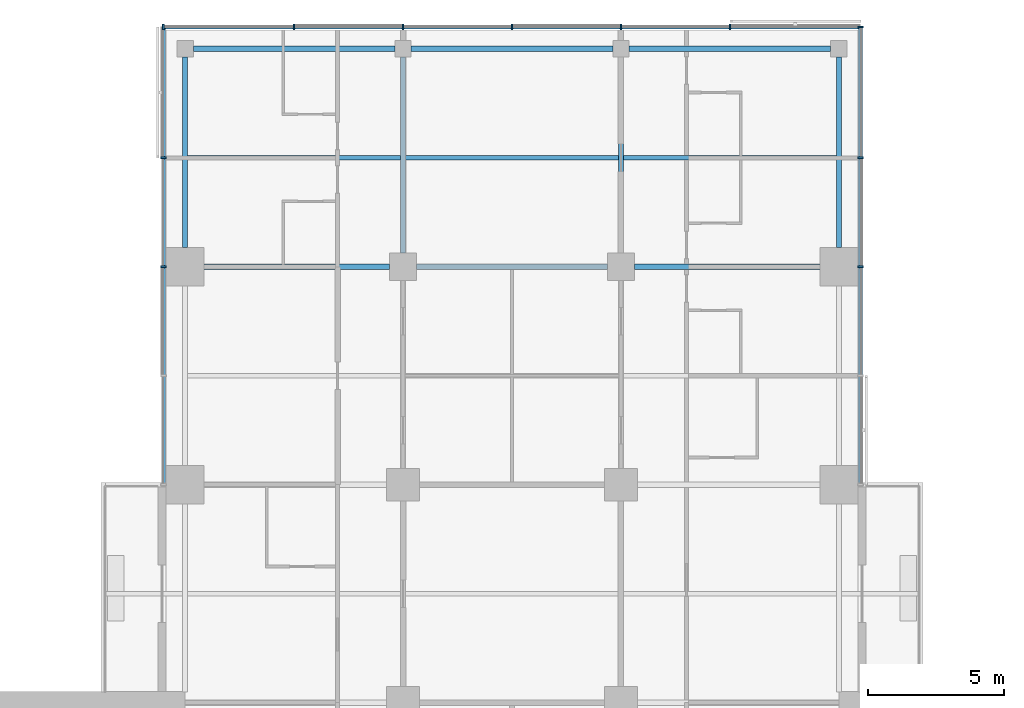
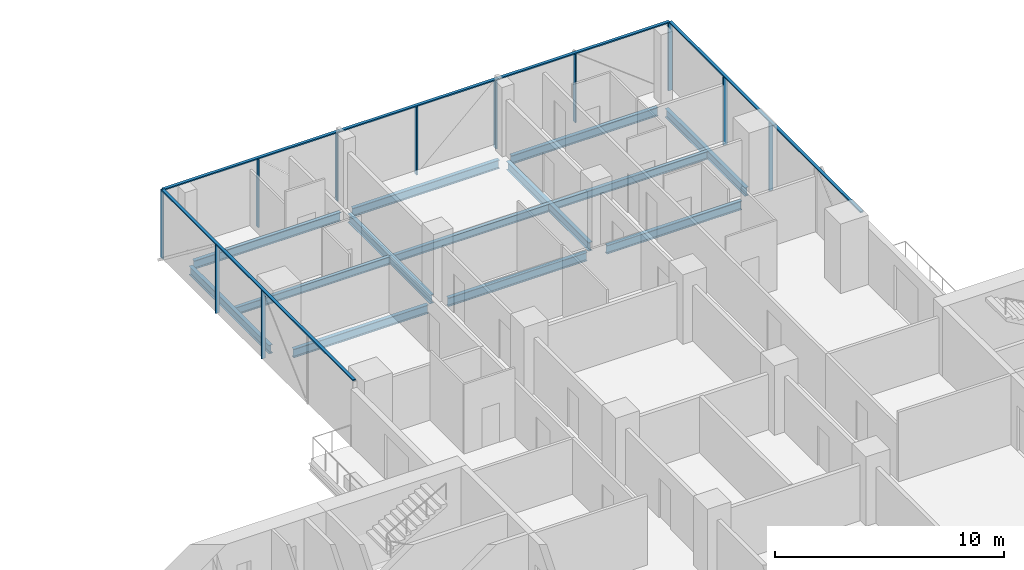
# One storey, part 12 of 27: 14 members, 13 beams, 3 elements without a shape of their own.
"""IFC4 building model written with IfcOpenShell, lengths in metres."""

from ifc_helpers import new_model, si_unit, direction, frame, origin, origin_2d, place, context, subcontext, project, spatial, rectangle, i_section, extrude, material, material_profile, profile_set, type_object, element, aggregate, save


model = new_model("IFC4")

# Units and contexts
model_context = context("Model", 3, precision=1e-05, world=origin(), true_north=direction((0.0, 1.0)))
body_context = subcontext(model_context, "Body", "Model", "MODEL_VIEW")
ifc_project = project(units=[si_unit("LENGTHUNIT", "METRE"), si_unit("AREAUNIT", "SQUARE_METRE"), si_unit("VOLUMEUNIT", "CUBIC_METRE"), si_unit("PLANEANGLEUNIT", "RADIAN"), si_unit("MASSUNIT", "GRAM", prefix="KILO")], contexts=[model_context])

# Site, building, storey
site_placement = place(None, origin())
site = spatial("IfcSite", under=ifc_project, at=site_placement, CompositionType="ELEMENT")
building_placement = place(site_placement, origin())
building = spatial("IfcBuilding", under=site, at=building_placement, Name="Crosswind Convention Tower", CompositionType="ELEMENT")
storey_placement = place(building_placement, frame((0.0, 0.0, 75.699951171875)))
storey = spatial("IfcBuildingStorey", under=building, at=storey_placement, Name="L13", CompositionType="ELEMENT", Elevation=75.699951171875)

# Beams
ifc_material_1 = material(Name="Steel S355", Category="steel")
ifc_material_profile_1 = material_profile(ifc_material_1, i_section(OverallWidth=0.1904296875, OverallDepth=0.457275390625, WebThickness=0.009033203125, FlangeThickness=0.014404296875, FilletRadius=0.01025390625, at=origin_2d()), Name="UB 457x191x75")
ifc_profile_set_1 = profile_set([ifc_material_profile_1], Name="Steel S355")
beam_type_1 = type_object("IfcBeamType", Name="Edge beam UB 457x191x75", PredefinedType="SPANDREL", material=ifc_profile_set_1)
beam_1_placement = place(storey_placement, frame((113.0, 128.699951171875, -0.508544921875), z_axis=(0.0, 1.0, 0.0), x_axis=(-1.0, 0.0, 0.0)))
element("IfcBeam", 1, at=beam_1_placement, inside=storey, type_object=beam_type_1, Name="B17 L13 edge beam 11", PredefinedType="SPANDREL", context=body_context, shape_type="SweptSolid", body=[
    extrude(i_section(OverallWidth=0.1904296875, OverallDepth=0.457275390625, WebThickness=0.009033203125, FlangeThickness=0.014404296875, FilletRadius=0.01025390625, at=origin_2d()), origin(), (0.0, 0.0, 1.0), 7.0),
])
for number, where, z_axis, x_axis, name in (
    (2, (113.300048828125, 136.0, -0.508544921875), (1.0, 0.0, 0.0), (0.0, 1.0, 0.0), "B17 L13 edge beam 13"),
    (3, (121.300048828125, 136.0, -0.508544921875), (1.0, 0.0, 0.0), (0.0, 1.0, 0.0), "B17 L13 edge beam 15"),
    (4, (129.300048828125, 136.0, -0.508544921875), (1.0, 0.0, 0.0), (0.0, 1.0, 0.0), "B17 L13 edge beam 17"),
):
    element("IfcBeam", number, at=place(storey_placement, frame(where, z_axis=z_axis, x_axis=x_axis)), inside=storey, type_object=beam_type_1, Name=name, PredefinedType="SPANDREL", context=body_context, shape_type="SweptSolid", body=[
        extrude(i_section(OverallWidth=0.1904296875, OverallDepth=0.457275390625, WebThickness=0.009033203125, FlangeThickness=0.014404296875, FilletRadius=0.01025390625, at=origin_2d()), origin(), (0.0, 0.0, 1.0), 7.39990234375),
    ])
beam_2_placement = place(storey_placement, frame((137.0, 128.699951171875, -0.508544921875), z_axis=(0.0, 1.0, 0.0), x_axis=(-1.0, 0.0, 0.0)))
element("IfcBeam", 5, at=beam_2_placement, inside=storey, type_object=beam_type_1, Name="B17 L13 edge beam 23", PredefinedType="SPANDREL", context=body_context, shape_type="SweptSolid", body=[
    extrude(i_section(OverallWidth=0.1904296875, OverallDepth=0.457275390625, WebThickness=0.009033203125, FlangeThickness=0.014404296875, FilletRadius=0.01025390625, at=origin_2d()), origin(), (0.0, 0.0, 1.0), 7.0),
])
ifc_material_profile_2 = material_profile(ifc_material_1, i_section(OverallWidth=0.19140625, OverallDepth=0.460205078125, WebThickness=0.010009765625, FlangeThickness=0.01611328125, FilletRadius=0.01025390625, at=origin_2d()), Name="UB 457x191x82")
ifc_profile_set_2 = profile_set([ifc_material_profile_2], Name="Steel S355")
beam_type_2 = type_object("IfcBeamType", Name="Girder UB 457x191x82", PredefinedType="BEAM", material=ifc_profile_set_2)
beam_3_placement = place(storey_placement, frame((113.699951171875, 128.0, -0.510009765625), z_axis=(1.0, 0.0, 0.0), x_axis=(0.0, 1.0, 0.0)))
element("IfcBeam", 6, at=beam_3_placement, inside=storey, type_object=beam_type_2, Name="B3 L13 girder 4", PredefinedType="BEAM", context=body_context, shape_type="SweptSolid", body=[
    extrude(i_section(OverallWidth=0.19140625, OverallDepth=0.460205078125, WebThickness=0.010009765625, FlangeThickness=0.01611328125, FilletRadius=0.01025390625, at=origin_2d()), origin(), (0.0, 0.0, 1.0), 6.800048828125),
])
beam_4_placement = place(storey_placement, frame((121.0, 128.5, -0.510009765625), z_axis=(0.0, 1.0, 0.0), x_axis=(-1.0, 0.0, 0.0)))
element("IfcBeam", 7, at=beam_4_placement, inside=storey, type_object=beam_type_2, Name="B3 L13 girder 13", PredefinedType="BEAM", context=body_context, shape_type="SweptSolid", body=[
    extrude(i_section(OverallWidth=0.19140625, OverallDepth=0.460205078125, WebThickness=0.010009765625, FlangeThickness=0.01611328125, FilletRadius=0.01025390625, at=origin_2d()), origin(), (0.0, 0.0, 1.0), 7.199951171875),
])
beam_5_placement = place(storey_placement, frame((121.5, 128.0, -0.510009765625), z_axis=(1.0, 0.0, 0.0), x_axis=(0.0, 1.0, 0.0)))
element("IfcBeam", 8, at=beam_5_placement, inside=storey, type_object=beam_type_2, Name="B3 L13 girder 15", PredefinedType="BEAM", context=body_context, shape_type="SweptSolid", body=[
    extrude(i_section(OverallWidth=0.19140625, OverallDepth=0.460205078125, WebThickness=0.010009765625, FlangeThickness=0.01611328125, FilletRadius=0.01025390625, at=origin_2d()), origin(), (0.0, 0.0, 1.0), 7.0),
])
beam_6_placement = place(storey_placement, frame((129.0, 128.5, -0.510009765625), z_axis=(0.0, 1.0, 0.0), x_axis=(-1.0, 0.0, 0.0)))
element("IfcBeam", 9, at=beam_6_placement, inside=storey, type_object=beam_type_2, Name="B3 L13 girder 30", PredefinedType="BEAM", context=body_context, shape_type="SweptSolid", body=[
    extrude(i_section(OverallWidth=0.19140625, OverallDepth=0.460205078125, WebThickness=0.010009765625, FlangeThickness=0.01611328125, FilletRadius=0.01025390625, at=origin_2d()), origin(), (0.0, 0.0, 1.0), 7.199951171875),
])
beam_7_placement = place(storey_placement, frame((129.5, 128.0, -0.510009765625), z_axis=(1.0, 0.0, 0.0), x_axis=(0.0, 1.0, 0.0)))
element("IfcBeam", 10, at=beam_7_placement, inside=storey, type_object=beam_type_2, Name="B3 L13 girder 32", PredefinedType="BEAM", context=body_context, shape_type="SweptSolid", body=[
    extrude(i_section(OverallWidth=0.19140625, OverallDepth=0.460205078125, WebThickness=0.010009765625, FlangeThickness=0.01611328125, FilletRadius=0.01025390625, at=origin_2d()), origin(), (0.0, 0.0, 1.0), 6.800048828125),
])

# Curtain wall, members
ifc_material_2 = material(Name="Aluminium unitised curtain wall", Category="aluminium")
curtain_wall_type = type_object("IfcCurtainWallType", Name="HOTEL UNITISED WALL 200", PredefinedType="USERDEFINED", material=ifc_material_2)
curtain_wall_1_placement = place(storey_placement, origin())
curtain_wall_1 = element("IfcCurtainWall", 11, at=curtain_wall_1_placement, inside=storey, type_object=curtain_wall_type, Name="CW2 L13 N-E 1", ObjectType="UNITISED", PredefinedType="USERDEFINED")
ifc_material_3 = material(Name="Aluminium mullion", Category="aluminium")
ifc_material_profile_3 = material_profile(ifc_material_3, rectangle(XDim=0.199951171875, YDim=0.06494140625, at=origin_2d()), Name="AL 200X65")
ifc_profile_set_3 = profile_set([ifc_material_profile_3], Name="Aluminium mullion")
member_type_1 = type_object("IfcMemberType", Name="MULLION 65X200", PredefinedType="MULLION", material=ifc_profile_set_3)
member_1_placement = place(storey_placement, frame((137.800048828125, 128.0, -0.280029296875), z_axis=(0.0, 0.0, 1.0), x_axis=(1.0, 0.0, 0.0)))
member_1 = element("IfcMember", 12, at=member_1_placement, type_object=member_type_1, Name="CW2 mullion 3", PredefinedType="MULLION", context=body_context, shape_type="SweptSolid", body=[
    extrude(rectangle(XDim=0.199951171875, YDim=0.06494140625, at=origin_2d()), origin(), (0.0, 0.0, 1.0), 3.635009765625),
])
member_2_placement = place(storey_placement, frame((137.800048828125, 132.0, -0.280029296875), z_axis=(0.0, 0.0, 1.0), x_axis=(1.0, 0.0, 0.0)))
member_2 = element("IfcMember", 13, at=member_2_placement, type_object=member_type_1, Name="CW2 mullion 4", PredefinedType="MULLION", context=body_context, shape_type="SweptSolid", body=[
    extrude(rectangle(XDim=0.199951171875, YDim=0.06494140625, at=origin_2d()), origin(), (0.0, 0.0, 1.0), 3.635009765625),
])
member_3_placement = place(storey_placement, frame((137.800048828125, 136.800048828125, -0.280029296875), z_axis=(0.0, 0.0, 1.0), x_axis=(1.0, 0.0, 0.0)))
member_3 = element("IfcMember", 14, at=member_3_placement, type_object=member_type_1, Name="CW2 mullion 5", PredefinedType="MULLION", context=body_context, shape_type="SweptSolid", body=[
    extrude(rectangle(XDim=0.199951171875, YDim=0.06494140625, at=origin_2d()), origin(), (0.0, 0.0, 1.0), 3.635009765625),
])

curtain_wall_2_placement = place(storey_placement, origin())
curtain_wall_2 = element("IfcCurtainWall", 15, at=curtain_wall_2_placement, inside=storey, type_object=curtain_wall_type, Name="CW2 L13 N-TIP 1", ObjectType="UNITISED", PredefinedType="USERDEFINED")
member_4_placement = place(storey_placement, frame((133.0, 136.800048828125, -0.280029296875), z_axis=(0.0, 0.0, 1.0), x_axis=(0.0, 1.0, 0.0)))
member_4 = element("IfcMember", 16, at=member_4_placement, type_object=member_type_1, Name="CW2 mullion 2", PredefinedType="MULLION", context=body_context, shape_type="SweptSolid", body=[
    extrude(rectangle(XDim=0.199951171875, YDim=0.06494140625, at=origin_2d()), origin(), (0.0, 0.0, 1.0), 3.635009765625),
])
member_5_placement = place(storey_placement, frame((129.0, 136.800048828125, -0.280029296875), z_axis=(0.0, 0.0, 1.0), x_axis=(0.0, 1.0, 0.0)))
member_5 = element("IfcMember", 17, at=member_5_placement, type_object=member_type_1, Name="CW2 mullion 3", PredefinedType="MULLION", context=body_context, shape_type="SweptSolid", body=[
    extrude(rectangle(XDim=0.199951171875, YDim=0.06494140625, at=origin_2d()), origin(), (0.0, 0.0, 1.0), 3.635009765625),
])
member_6_placement = place(storey_placement, frame((125.0, 136.800048828125, -0.280029296875), z_axis=(0.0, 0.0, 1.0), x_axis=(0.0, 1.0, 0.0)))
member_6 = element("IfcMember", 18, at=member_6_placement, type_object=member_type_1, Name="CW2 mullion 4", PredefinedType="MULLION", context=body_context, shape_type="SweptSolid", body=[
    extrude(rectangle(XDim=0.199951171875, YDim=0.06494140625, at=origin_2d()), origin(), (0.0, 0.0, 1.0), 3.635009765625),
])
member_7_placement = place(storey_placement, frame((121.0, 136.800048828125, -0.280029296875), z_axis=(0.0, 0.0, 1.0), x_axis=(0.0, 1.0, 0.0)))
member_7 = element("IfcMember", 19, at=member_7_placement, type_object=member_type_1, Name="CW2 mullion 5", PredefinedType="MULLION", context=body_context, shape_type="SweptSolid", body=[
    extrude(rectangle(XDim=0.199951171875, YDim=0.06494140625, at=origin_2d()), origin(), (0.0, 0.0, 1.0), 3.635009765625),
])
member_8_placement = place(storey_placement, frame((117.0, 136.800048828125, -0.280029296875), z_axis=(0.0, 0.0, 1.0), x_axis=(0.0, 1.0, 0.0)))
member_8 = element("IfcMember", 20, at=member_8_placement, type_object=member_type_1, Name="CW2 mullion 6", PredefinedType="MULLION", context=body_context, shape_type="SweptSolid", body=[
    extrude(rectangle(XDim=0.199951171875, YDim=0.06494140625, at=origin_2d()), origin(), (0.0, 0.0, 1.0), 3.635009765625),
])
member_9_placement = place(storey_placement, frame((112.199951171875, 136.800048828125, -0.280029296875), z_axis=(0.0, 0.0, 1.0), x_axis=(0.0, 1.0, 0.0)))
member_9 = element("IfcMember", 21, at=member_9_placement, type_object=member_type_1, Name="CW2 mullion 7", PredefinedType="MULLION", context=body_context, shape_type="SweptSolid", body=[
    extrude(rectangle(XDim=0.199951171875, YDim=0.06494140625, at=origin_2d()), origin(), (0.0, 0.0, 1.0), 3.635009765625),
])

curtain_wall_3_placement = place(storey_placement, origin())
curtain_wall_3 = element("IfcCurtainWall", 22, at=curtain_wall_3_placement, inside=storey, type_object=curtain_wall_type, Name="CW2 L13 N-W 1", ObjectType="UNITISED", PredefinedType="USERDEFINED")
member_10_placement = place(storey_placement, frame((112.199951171875, 132.0, -0.280029296875), z_axis=(0.0, 0.0, 1.0), x_axis=(-1.0, 0.0, 0.0)))
member_10 = element("IfcMember", 23, at=member_10_placement, type_object=member_type_1, Name="CW2 mullion 2", PredefinedType="MULLION", context=body_context, shape_type="SweptSolid", body=[
    extrude(rectangle(XDim=0.199951171875, YDim=0.06494140625, at=origin_2d()), origin(), (0.0, 0.0, 1.0), 3.635009765625),
])
member_11_placement = place(storey_placement, frame((112.199951171875, 128.0, -0.280029296875), z_axis=(0.0, 0.0, 1.0), x_axis=(-1.0, 0.0, 0.0)))
member_11 = element("IfcMember", 24, at=member_11_placement, type_object=member_type_1, Name="CW2 mullion 3", PredefinedType="MULLION", context=body_context, shape_type="SweptSolid", body=[
    extrude(rectangle(XDim=0.199951171875, YDim=0.06494140625, at=origin_2d()), origin(), (0.0, 0.0, 1.0), 3.635009765625),
])

# Beams
ifc_material_profile_4 = material_profile(ifc_material_1, i_section(OverallWidth=0.177734375, OverallDepth=0.406494140625, WebThickness=0.0078125, FlangeThickness=0.0126953125, FilletRadius=0.01025390625, at=origin_2d()), Name="UB 406x178x60")
ifc_profile_set_4 = profile_set([ifc_material_profile_4], Name="Steel S355")
beam_type_3 = type_object("IfcBeamType", Name="Secondary beam UB 406x178x60", PredefinedType="JOIST", material=ifc_profile_set_4)
beam_8_placement = place(storey_placement, frame((113.09521484375, 132.0, -0.483154296875), z_axis=(1.0, 0.0, 0.0), x_axis=(0.0, 1.0, 0.0)))
element("IfcBeam", 25, at=beam_8_placement, inside=storey, type_object=beam_type_3, Name="B10 L13 secondary beam 12", PredefinedType="JOIST", context=body_context, shape_type="SweptSolid", body=[
    extrude(i_section(OverallWidth=0.177734375, OverallDepth=0.406494140625, WebThickness=0.0078125, FlangeThickness=0.0126953125, FilletRadius=0.01025390625, at=origin_2d()), origin(), (0.0, 0.0, 1.0), 7.80908203125),
])
beam_9_placement = place(storey_placement, frame((121.095703125, 132.0, -0.483154296875), z_axis=(1.0, 0.0, 0.0), x_axis=(0.0, 1.0, 0.0)))
element("IfcBeam", 26, at=beam_9_placement, inside=storey, type_object=beam_type_3, Name="B10 L13 secondary beam 21", PredefinedType="JOIST", context=body_context, shape_type="SweptSolid", body=[
    extrude(i_section(OverallWidth=0.177734375, OverallDepth=0.406494140625, WebThickness=0.0078125, FlangeThickness=0.0126953125, FilletRadius=0.01025390625, at=origin_2d()), origin(), (0.0, 0.0, 1.0), 7.80859375),
])
beam_10_placement = place(storey_placement, frame((129.095703125, 132.0, -0.483154296875), z_axis=(1.0, 0.0, 0.0), x_axis=(0.0, 1.0, 0.0)))
element("IfcBeam", 27, at=beam_10_placement, inside=storey, type_object=beam_type_3, Name="B10 L13 secondary beam 30", PredefinedType="JOIST", context=body_context, shape_type="SweptSolid", body=[
    extrude(i_section(OverallWidth=0.177734375, OverallDepth=0.406494140625, WebThickness=0.0078125, FlangeThickness=0.0126953125, FilletRadius=0.01025390625, at=origin_2d()), origin(), (0.0, 0.0, 1.0), 7.80908203125),
])

# Member
ifc_material_4 = material(Name="Aluminium transom", Category="aluminium")
ifc_material_profile_5 = material_profile(ifc_material_4, rectangle(XDim=0.14990234375, YDim=0.06494140625, at=origin_2d()), Name="AL 150X65")
ifc_profile_set_5 = profile_set([ifc_material_profile_5], Name="Aluminium transom")
member_type_2 = type_object("IfcMemberType", Name="TRANSOM 65X150", PredefinedType="USERDEFINED", material=ifc_profile_set_5)
member_12_placement = place(storey_placement, frame((137.800048828125, 120.032470703125, 3.387451171875), z_axis=(0.0, 1.0, 0.0), x_axis=(-1.0, 0.0, 0.0)))
member_12 = element("IfcMember", 28, at=member_12_placement, type_object=member_type_2, Name="CW2 transom", ObjectType="TRANSOM", PredefinedType="USERDEFINED", context=body_context, shape_type="SweptSolid", body=[
    extrude(rectangle(XDim=0.14990234375, YDim=0.06494140625, at=origin_2d()), origin(), (0.0, 0.0, 1.0), 16.735107421875),
])

aggregate(curtain_wall_1, [member_1, member_2, member_3, member_12])

member_13_placement = place(storey_placement, frame((137.767578125, 136.800048828125, 3.387451171875), z_axis=(-1.0, 0.0, 0.0), x_axis=(0.0, -1.0, 0.0)))
member_13 = element("IfcMember", 29, at=member_13_placement, type_object=member_type_2, Name="CW2 transom", ObjectType="TRANSOM", PredefinedType="USERDEFINED", context=body_context, shape_type="SweptSolid", body=[
    extrude(rectangle(XDim=0.14990234375, YDim=0.06494140625, at=origin_2d()), origin(), (0.0, 0.0, 1.0), 25.53515625),
])

aggregate(curtain_wall_2, [member_4, member_5, member_6, member_7, member_8, member_9, member_13])

member_14_placement = place(storey_placement, frame((112.199951171875, 136.767578125, 3.387451171875), z_axis=(0.0, -1.0, 0.0), x_axis=(1.0, 0.0, 0.0)))
member_14 = element("IfcMember", 30, at=member_14_placement, type_object=member_type_2, Name="CW2 transom", ObjectType="TRANSOM", PredefinedType="USERDEFINED", context=body_context, shape_type="SweptSolid", body=[
    extrude(rectangle(XDim=0.14990234375, YDim=0.06494140625, at=origin_2d()), origin(), (0.0, 0.0, 1.0), 16.735107421875),
])

aggregate(curtain_wall_3, [member_10, member_11, member_14])

save(model, "model.ifc")
